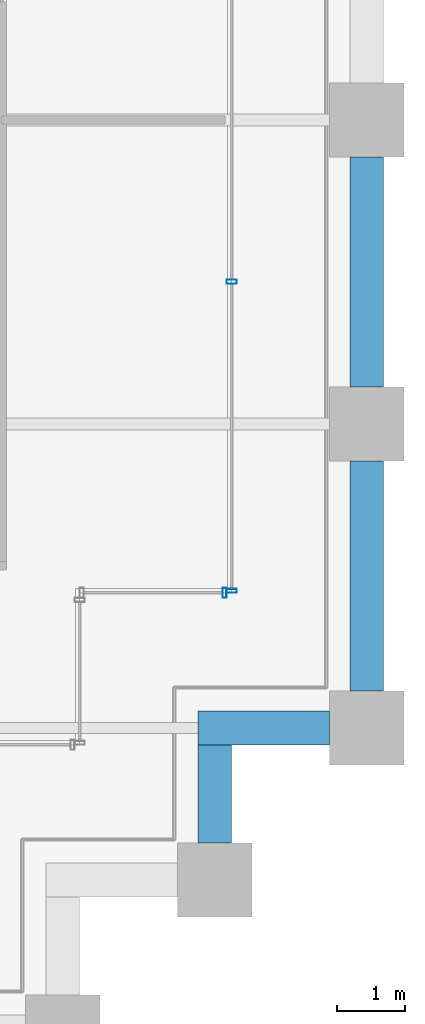
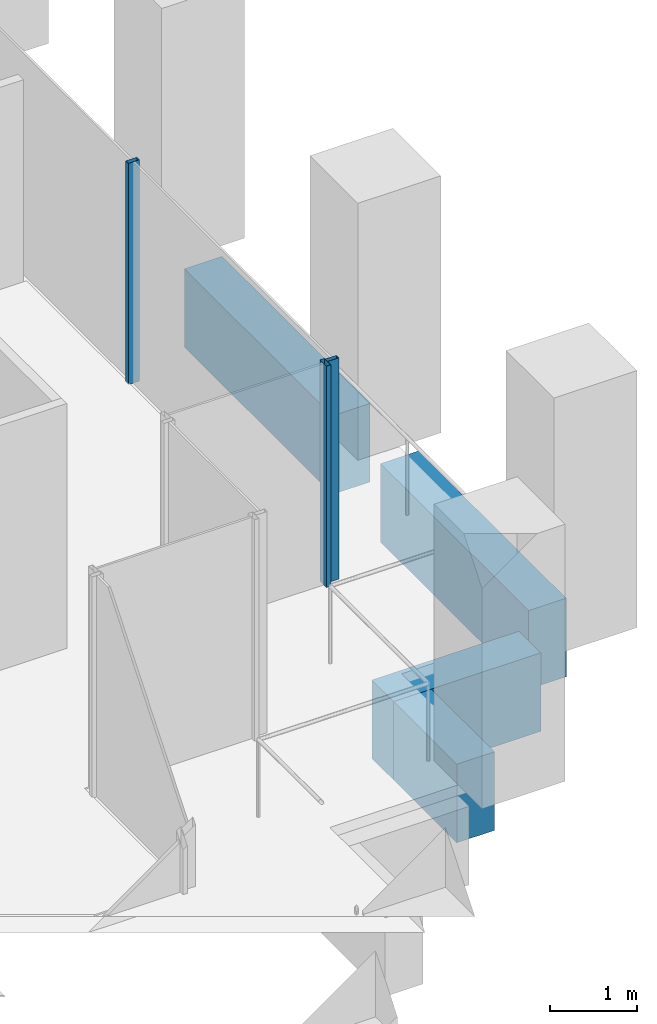
# One storey, part 46 of 56: 4 beams, 3 members, 2 elements without a shape of their own.
"""IFC4 building model written with IfcOpenShell, lengths in metres."""

import ifcopenshell
import ifcopenshell.guid

model = None  # the IFC model being written
_history = None  # IfcOwnerHistory: only IFC2X3 demands one
_inside = {}  # id of a spatial element -> (the spatial element, [elements in it])
_under = {}  # id of a project, library or spatial element -> (it, [spatial elements below it])
_declared = {}  # id of a project -> (the project, [libraries it declares])
_typed = {}  # id of a type object -> (the type object, [elements of that type])
_made_of = {}  # id of a material, layer set ... -> (it, [elements and type objects made of it])


def new_model(schema):
    """Start an empty IFC model of exactly this schema.

    Asked for "IFC4X3", IfcOpenShell would pick the latest addendum, in which some entities
    have other attributes; the version numbers below select the first issue.
    IFC2X3 requires an IfcOwnerHistory on every rooted entity: one is made here for all.
    """
    global model, _history
    if schema == "IFC4X3":
        model = ifcopenshell.file(schema_version=(4, 3, 0, 0))
    else:
        model = ifcopenshell.file(schema=schema)
    _inside.clear()
    _under.clear()
    _declared.clear()
    _typed.clear()
    _made_of.clear()
    _history = None
    if model.schema == "IFC2X3":
        org = make("IfcOrganization", Name="unknown")
        user = make(
            "IfcPersonAndOrganization",
            ThePerson=make("IfcPerson", FamilyName="unknown"),
            TheOrganization=org,
        )
        app = make(
            "IfcApplication",
            ApplicationDeveloper=org,
            Version="unknown",
            ApplicationFullName="unknown",
            ApplicationIdentifier="unknown",
        )
        _history = make(
            "IfcOwnerHistory",
            OwningUser=user,
            OwningApplication=app,
            ChangeAction="ADDED",
            CreationDate=0,
        )
    return model


def make(cls, **values):
    """One entity of the class cls with the attributes given. An attribute that is None is left unset."""
    return model.create_entity(
        cls, **{name: value for name, value in values.items() if value is not None}
    )


def rooted(cls, **values):
    """An entity with a GlobalId (a new one), such as an element, a storey or a relation."""
    return make(cls, GlobalId=ifcopenshell.guid.new(), OwnerHistory=_history, **values)


def si_unit(unit_type, name, prefix=None):
    """IfcSIUnit, for example si_unit("LENGTHUNIT", "METRE", prefix="MILLI")."""
    return make("IfcSIUnit", UnitType=unit_type, Prefix=prefix, Name=name)


def assignment(units):
    """IfcUnitAssignment: the units of a project."""
    return None if units is None else make("IfcUnitAssignment", Units=units)


def point(xyz):
    """IfcCartesianPoint."""
    return None if xyz is None else make("IfcCartesianPoint", Coordinates=xyz)


def direction(xyz):
    """IfcDirection."""
    return None if xyz is None else make("IfcDirection", DirectionRatios=xyz)


def frame(location, z_axis=None, x_axis=None):
    """IfcAxis2Placement3D, a coordinate frame: its origin and axes. An axis left out is left unset."""
    return make(
        "IfcAxis2Placement3D",
        Location=point(location),
        Axis=direction(z_axis),
        RefDirection=direction(x_axis),
    )


def frame_2d(location, x_axis=None):
    """IfcAxis2Placement2D, a coordinate frame in the plane: its origin and x axis."""
    return make(
        "IfcAxis2Placement2D", Location=point(location), RefDirection=direction(x_axis)
    )


def origin():
    """The frame at (0, 0, 0) with its axes left unset."""
    return frame((0.0, 0.0, 0.0))


def origin_2d():
    """The frame at (0, 0) in the plane with its x axis left unset."""
    return frame_2d((0.0, 0.0))


def place(relative_to, where):
    """IfcLocalPlacement: puts the frame where relative to a parent placement (None: the world)."""
    return make(
        "IfcLocalPlacement", PlacementRelTo=relative_to, RelativePlacement=where
    )


def context(
    kind, dimensions, precision=None, world=None, true_north=None, identifier=None
):
    """IfcGeometricRepresentationContext, for example the 3D "Model" context."""
    return make(
        "IfcGeometricRepresentationContext",
        ContextIdentifier=identifier,
        ContextType=kind,
        CoordinateSpaceDimension=dimensions,
        Precision=precision,
        WorldCoordinateSystem=world,
        TrueNorth=true_north,
    )


def subcontext(parent, identifier, kind, view, scale=None):
    """IfcGeometricRepresentationSubContext, for example "Body" below "Model"."""
    return make(
        "IfcGeometricRepresentationSubContext",
        ContextIdentifier=identifier,
        ContextType=kind,
        ParentContext=parent,
        TargetScale=scale,
        TargetView=view,
    )


def project(units=None, contexts=None):
    """IfcProject with its units and contexts."""
    return rooted(
        "IfcProject",
        Name="project",
        RepresentationContexts=contexts,
        UnitsInContext=assignment(units),
    )


def spatial(cls, under=None, at=None, **own):
    """A site, building, storey or space (cls), placed at a placement, below another one or the project."""
    s = rooted(cls, ObjectPlacement=at, **own)
    if under is not None:
        _under.setdefault(under.id(), (under, []))[1].append(s)
    return s


def profile(cls, at=None, kind="AREA", **sizes):
    """A parametric profile (cls). Its sizes go by their IFC names, for example OverallWidth=200.0."""
    return make(cls, ProfileType=kind, Position=at, **sizes)


def rectangle(**sizes):
    """IfcRectangleProfileDef."""
    return profile("IfcRectangleProfileDef", **sizes)


def hollow_rectangle(**sizes):
    """IfcRectangleHollowProfileDef."""
    return profile("IfcRectangleHollowProfileDef", **sizes)


def extrude(swept, where, along, depth):
    """IfcExtrudedAreaSolid: the profile swept, set in the frame where, extruded along a direction by depth."""
    return make(
        "IfcExtrudedAreaSolid",
        SweptArea=swept,
        Position=where,
        ExtrudedDirection=direction(along),
        Depth=depth,
    )


def shape(context_of_items, identifier, shape_type, items):
    """IfcShapeRepresentation: the items that make up one representation, for example the "Body"."""
    return make(
        "IfcShapeRepresentation",
        ContextOfItems=context_of_items,
        RepresentationIdentifier=identifier,
        RepresentationType=shape_type,
        Items=items,
    )


def material(Name=None, Category=None):
    """IfcMaterial."""
    return make("IfcMaterial", Name=Name, Category=Category)


def material_profile(
    of_material, cross_section, Name=None, Category=None, Priority=None
):
    """IfcMaterialProfile: a cross section and its material."""
    return make(
        "IfcMaterialProfile",
        Name=Name,
        Material=of_material,
        Profile=cross_section,
        Priority=Priority,
        Category=Category,
    )


def profile_set(profiles, Name=None, composite=None):
    """IfcMaterialProfileSet."""
    return make(
        "IfcMaterialProfileSet",
        Name=Name,
        MaterialProfiles=profiles,
        CompositeProfile=composite,
    )


def made_of(thing, what):
    """Note that an element or type object is made of a material, layer set ...; save() writes the relation."""
    if what is not None:
        _made_of.setdefault(what.id(), (what, []))[1].append(thing)
    return thing


def type_object(cls, material=None, **own):
    """A type object (cls), such as IfcWallType, which elements share."""
    return made_of(rooted(cls, **own), material)


def element(
    cls,
    number,
    at=None,
    inside=None,
    cuts=None,
    type_object=None,
    material=None,
    context=None,
    identifier="Body",
    shape_type=None,
    held_by="IfcProductDefinitionShape",
    body=None,
    shapes=None,
    **own,
):
    """One element of the class cls, such as IfcWall. Its Tag is "e" and its number.

    at: its placement. inside: the storey or other place that contains it. cuts: it is an
    opening in that element (IfcRelVoidsElement). A single representation is given by context,
    identifier, shape_type and body (its items); several are given by shapes. held_by: the class
    of the entity that holds the representations. save() writes the other relations.
    """
    e = rooted(cls, Tag="e%d" % number, ObjectPlacement=at, **own)
    if body is not None:
        shapes = [shape(context, identifier, shape_type, body)]
    if shapes is not None:
        e.Representation = make(held_by, Representations=shapes)
    if inside is not None:
        _inside.setdefault(inside.id(), (inside, []))[1].append(e)
    if cuts is not None:
        rooted(
            "IfcRelVoidsElement", RelatingBuildingElement=cuts, RelatedOpeningElement=e
        )
    if type_object is not None:
        _typed.setdefault(type_object.id(), (type_object, []))[1].append(e)
    return made_of(e, material)


def aggregate(whole, parts):
    """IfcRelAggregates: a whole, such as a stair, and the parts it consists of."""
    return rooted("IfcRelAggregates", RelatingObject=whole, RelatedObjects=parts)


def save(model, path):
    """Write the relations noted so far, then the file.

    IfcRelAggregates (storeys below a building ...), IfcRelContainedInSpatialStructure (elements
    in a storey), IfcRelDefinesByType, IfcRelAssociatesMaterial and IfcRelDeclares: one each for
    every whole, place, type object, material and project.
    """
    for whole, parts in _under.values():
        aggregate(whole, parts)
    for where, things in _inside.values():
        rooted(
            "IfcRelContainedInSpatialStructure",
            RelatedElements=things,
            RelatingStructure=where,
        )
    for kind, things in _typed.values():
        rooted("IfcRelDefinesByType", RelatedObjects=things, RelatingType=kind)
    for what, things in _made_of.values():
        rooted("IfcRelAssociatesMaterial", RelatedObjects=things, RelatingMaterial=what)
    for by, libraries in _declared.values():
        rooted("IfcRelDeclares", RelatingContext=by, RelatedDefinitions=libraries)
    model.write(path)


model = new_model("IFC4")

# Units and contexts
model_context = context("Model", 3, precision=1e-05, world=origin(), true_north=direction((0.0, 1.0)))
body_context = subcontext(model_context, "Body", "Model", "MODEL_VIEW")
ifc_project = project(units=[si_unit("LENGTHUNIT", "METRE"), si_unit("AREAUNIT", "SQUARE_METRE"), si_unit("VOLUMEUNIT", "CUBIC_METRE"), si_unit("PLANEANGLEUNIT", "RADIAN"), si_unit("MASSUNIT", "GRAM", prefix="KILO")], contexts=[model_context])

# Site, building, storey
site_placement = place(None, origin())
site = spatial("IfcSite", under=ifc_project, at=site_placement, CompositionType="ELEMENT")
building_placement = place(site_placement, origin())
building = spatial("IfcBuilding", under=site, at=building_placement, Name="Altepetl Exchange Towers", CompositionType="ELEMENT")
storey_placement = place(building_placement, frame((0.0, 0.0, 76.199951171875)))
storey = spatial("IfcBuildingStorey", under=building, at=storey_placement, Name="L18", CompositionType="ELEMENT", Elevation=76.199951171875)

# Curtain wall, member
ifc_material_1 = material(Name="Aluminium 6063-T6 glazing", Category="aluminium")
curtain_wall_type = type_object("IfcCurtainWallType", Name="Loggia glazing system", PredefinedType="NOTDEFINED", material=ifc_material_1)
curtain_wall_1_placement = place(storey_placement, origin())
curtain_wall_1 = element("IfcCurtainWall", 1, at=curtain_wall_1_placement, inside=storey, type_object=curtain_wall_type, Name="CW1 run", PredefinedType="NOTDEFINED")
ifc_material_2 = material(Name="Aluminium 6063-T6", Category="aluminium")
ifc_material_profile_1 = material_profile(ifc_material_2, hollow_rectangle(XDim=0.06005859375, YDim=0.14990234375, WallThickness=0.0029296875, at=origin_2d()), Name="Mullion 60x150 aluminium")
ifc_profile_set_1 = profile_set([ifc_material_profile_1], Name="Aluminium 6063-T6")
member_type = type_object("IfcMemberType", Name="Mullion 60x150 aluminium", PredefinedType="MULLION", material=ifc_profile_set_1)
member_1_placement = place(storey_placement, frame((123.89501953125, 33.5, 0.0)))
member_1 = element("IfcMember", 2, at=member_1_placement, type_object=member_type, Name="MU1 mullion", PredefinedType="MULLION", context=body_context, shape_type="SweptSolid", body=[
    extrude(hollow_rectangle(XDim=0.06005859375, YDim=0.14990234375, WallThickness=0.0029296875, at=origin_2d()), origin(), (0.0, 0.0, 1.0), 3.10009765625),
])
aggregate(curtain_wall_1, [member_1])

# Curtain wall, members
curtain_wall_2_placement = place(storey_placement, origin())
curtain_wall_2 = element("IfcCurtainWall", 3, at=curtain_wall_2_placement, inside=storey, type_object=curtain_wall_type, Name="CW1 run", PredefinedType="NOTDEFINED")
member_2_placement = place(storey_placement, frame((124.0, 33.530029296875, 0.0), z_axis=(0.0, 0.0, 1.0), x_axis=(0.0, 1.0, 0.0)))
member_2 = element("IfcMember", 4, at=member_2_placement, type_object=member_type, Name="MU1 mullion", PredefinedType="MULLION", context=body_context, shape_type="SweptSolid", body=[
    extrude(hollow_rectangle(XDim=0.06005859375, YDim=0.14990234375, WallThickness=0.0029296875, at=origin_2d()), origin(), (0.0, 0.0, 1.0), 3.10009765625),
])
member_3_placement = place(storey_placement, frame((124.0, 38.106201171875, 0.0), z_axis=(0.0, 0.0, 1.0), x_axis=(0.0, 1.0, 0.0)))
member_3 = element("IfcMember", 5, at=member_3_placement, type_object=member_type, Name="MU1 mullion", PredefinedType="MULLION", context=body_context, shape_type="SweptSolid", body=[
    extrude(hollow_rectangle(XDim=0.06005859375, YDim=0.14990234375, WallThickness=0.0029296875, at=origin_2d()), origin(), (0.0, 0.0, 1.0), 3.10009765625),
])
aggregate(curtain_wall_2, [member_2, member_3])

# Beams
ifc_material_3 = material(Name="Concrete C50/60 precast with cantera blanca facing", Category="concrete")
ifc_material_profile_2 = material_profile(ifc_material_3, rectangle(XDim=0.5, YDim=1.10009765625, at=origin_2d()), Name="500 x 1100")
ifc_profile_set_2 = profile_set([ifc_material_profile_2], Name="Concrete C50/60 precast with cantera blanca facing")
beam_type = type_object("IfcBeamType", Name="Spandrel beam 500x1100 cantera blanca", PredefinedType="SPANDREL", material=ifc_profile_set_2)
beam_1_placement = place(storey_placement, frame((123.75, 29.800048828125, -0.699951171875), z_axis=(0.0, 1.0, 0.0), x_axis=(-1.0, 0.0, 0.0)))
element("IfcBeam", 6, at=beam_1_placement, inside=storey, type_object=beam_type, Name="sp:B:L18:007", PredefinedType="SPANDREL", context=body_context, shape_type="SweptSolid", body=[
    extrude(rectangle(XDim=0.5, YDim=1.10009765625, at=origin_2d()), origin(), (0.0, 0.0, 1.0), 1.449951171875),
])
beam_2_placement = place(storey_placement, frame((123.5, 31.5, -0.699951171875), z_axis=(1.0, 0.0, 0.0), x_axis=(0.0, 1.0, 0.0)))
element("IfcBeam", 7, at=beam_2_placement, inside=storey, type_object=beam_type, Name="sp:B:L18:008", PredefinedType="SPANDREL", context=body_context, shape_type="SweptSolid", body=[
    extrude(rectangle(XDim=0.5, YDim=1.10009765625, at=origin_2d()), origin(), (0.0, 0.0, 1.0), 1.949951171875),
])
for number, where, z_axis, x_axis, name in (
    (8, (126.0, 32.050048828125, -0.699951171875), (0.0, 1.0, 0.0), (-1.0, 0.0, 0.0), "sp:B:L18:009"),
    (9, (126.0, 36.550048828125, -0.699951171875), (0.0, 1.0, 0.0), (-1.0, 0.0, 0.0), "sp:B:L18:010"),
):
    element("IfcBeam", number, at=place(storey_placement, frame(where, z_axis=z_axis, x_axis=x_axis)), inside=storey, type_object=beam_type, Name=name, PredefinedType="SPANDREL", context=body_context, shape_type="SweptSolid", body=[
        extrude(rectangle(XDim=0.5, YDim=1.10009765625, at=origin_2d()), origin(), (0.0, 0.0, 1.0), 3.39990234375),
    ])

save(model, "model.ifc")
